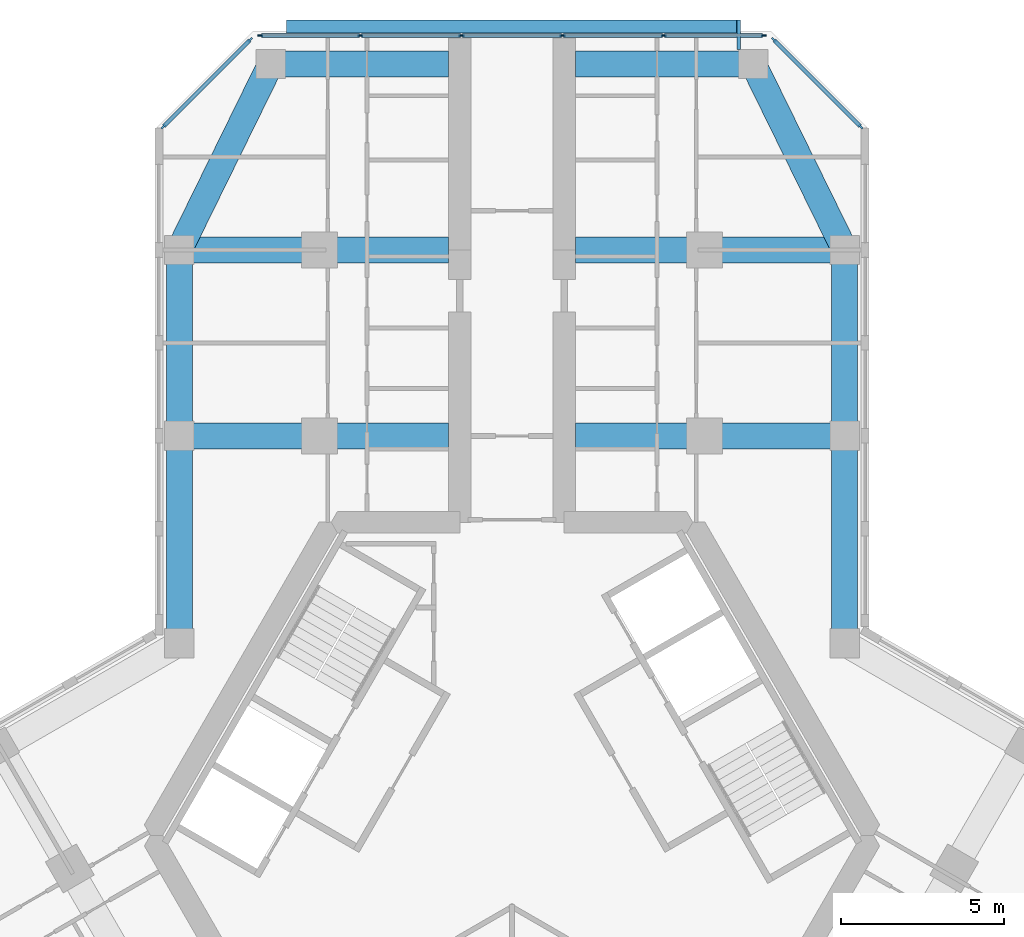
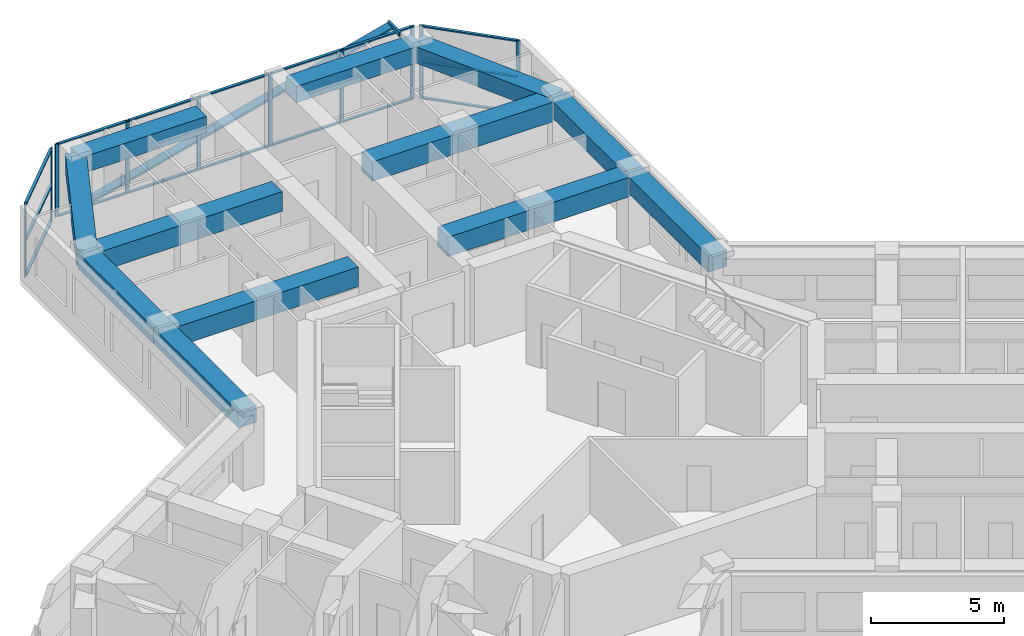
# One storey, part 6 of 16: 28 members, 12 beams, 3 elements without a shape of their own.
"""IFC4 building model written with IfcOpenShell, lengths in metres."""

from ifc_helpers import new_model, si_unit, direction, frame, origin, origin_2d, place, context, subcontext, project, spatial, rectangle, hollow_rectangle, extrude, material, material_profile, profile_set, type_object, element, aggregate, save


model = new_model("IFC4")

# Units and contexts
model_context = context("Model", 3, precision=1e-05, world=origin(), true_north=direction((0.0, 1.0)))
body_context = subcontext(model_context, "Body", "Model", "MODEL_VIEW")
ifc_project = project(units=[si_unit("LENGTHUNIT", "METRE"), si_unit("AREAUNIT", "SQUARE_METRE"), si_unit("VOLUMEUNIT", "CUBIC_METRE"), si_unit("PLANEANGLEUNIT", "RADIAN"), si_unit("MASSUNIT", "GRAM", prefix="KILO")], contexts=[model_context])

# Site, building, storey
site_placement = place(None, origin())
site = spatial("IfcSite", under=ifc_project, at=site_placement, CompositionType="ELEMENT")
building_placement = place(site_placement, origin())
building = spatial("IfcBuilding", under=site, at=building_placement, Name="Kosmar Iwan School Tower", CompositionType="ELEMENT")
storey_placement = place(building_placement, frame((0.0, 0.0, 197.39990234375)))
storey = spatial("IfcBuildingStorey", under=building, at=storey_placement, Name="L49", CompositionType="ELEMENT", Elevation=197.39990234375)

# Members
ifc_material_1 = material(Name="Black anodised aluminium", Category="aluminium")
ifc_material_profile_1 = material_profile(ifc_material_1, rectangle(XDim=0.10009765625, YDim=0.39990234375, at=origin_2d()), Name="FIN 100x400")
ifc_profile_set_1 = profile_set([ifc_material_profile_1], Name="Black anodised aluminium")
member_type_1 = type_object("IfcMemberType", Name="Diagonal fin 100x400", PredefinedType="USERDEFINED", material=ifc_profile_set_1)
member_1_placement = place(storey_placement, frame((-6.898193359375, 24.800048828125, -0.14990234375), z_axis=(0.967599450335, 0.0, 0.252490205179), x_axis=(-0.252490205179, 0.0, 0.967599450335)))
element("IfcMember", 1, at=member_1_placement, inside=storey, type_object=member_type_1, Name="Diagonal fin L49-F06", ObjectType="FIN", PredefinedType="USERDEFINED", context=body_context, shape_type="SweptSolid", body=[
    extrude(rectangle(XDim=0.10009765625, YDim=0.39990234375, at=origin_2d()), origin(), (0.0, 0.0, 1.0), 14.25830078125),
])
ifc_material_2 = material(Name="Steel S355", Category="steel")
ifc_material_profile_2 = material_profile(ifc_material_2, hollow_rectangle(XDim=0.10009765625, YDim=0.199951171875, WallThickness=0.008056640625, at=origin_2d()), Name="RHS 200x100x8")
ifc_profile_set_2 = profile_set([ifc_material_profile_2], Name="Steel S355")
member_type_2 = type_object("IfcMemberType", Name="Fin bracket RHS 200x100", PredefinedType="USERDEFINED", material=ifc_profile_set_2)
member_2_placement = place(storey_placement, frame((6.949951171875, 24.10009765625, 3.47509765625), z_axis=(0.0, 1.0, 0.0), x_axis=(-1.0, 0.0, 0.0)))
element("IfcMember", 2, at=member_2_placement, inside=storey, type_object=member_type_2, Name="Fin bracket L50", ObjectType="FIN BRACKET", PredefinedType="USERDEFINED", context=body_context, shape_type="SweptSolid", body=[
    extrude(hollow_rectangle(XDim=0.10009765625, YDim=0.199951171875, WallThickness=0.008056640625, at=origin_2d()), origin(), (0.0, 0.0, 1.0), 0.89990234375),
])

# Curtain wall, members
ifc_material_3 = material(Name="Dark glass in black aluminium frame", Category="aluminium")
curtain_wall_type_1 = type_object("IfcCurtainWallType", Name="Chamfer curtain wall dark glass", PredefinedType="USERDEFINED", material=ifc_material_3)
curtain_wall_1_placement = place(storey_placement, origin())
curtain_wall_1 = element("IfcCurtainWall", 3, at=curtain_wall_1_placement, inside=storey, type_object=curtain_wall_type_1, Name="Curtain wall L49-F05", ObjectType="FACETED CURTAIN WALL", PredefinedType="USERDEFINED")
ifc_material_4 = material(Name="Black anodised aluminium", Category="aluminium")
ifc_material_profile_3 = material_profile(ifc_material_4, rectangle(XDim=0.06005859375, YDim=0.159912109375, at=origin_2d()), Name="MULLION 60x160")
ifc_profile_set_3 = profile_set([ifc_material_profile_3], Name="Black anodised aluminium")
member_type_3 = type_object("IfcMemberType", Name="Mullion 60x160", PredefinedType="MULLION", material=ifc_profile_set_3)
member_3_placement = place(storey_placement, frame((10.69775390625, 21.7255859375, 0.0), z_axis=(0.0, 0.0, 1.0), x_axis=(-0.707106781187, -0.707106781187, 0.0)))
member_3 = element("IfcMember", 4, at=member_3_placement, type_object=member_type_3, Name="CW2 mullion 1", PredefinedType="MULLION", context=body_context, shape_type="SweptSolid", body=[
    extrude(rectangle(XDim=0.06005859375, YDim=0.159912109375, at=origin_2d()), origin(), (0.0, 0.0, 1.0), 3.35009765625),
])
member_4_placement = place(storey_placement, frame((8.025390625, 24.397705078125, 0.0), z_axis=(0.0, 0.0, 1.0), x_axis=(-0.707106781187, -0.707106781187, 0.0)))
member_4 = element("IfcMember", 5, at=member_4_placement, type_object=member_type_3, Name="CW2 mullion 2", PredefinedType="MULLION", context=body_context, shape_type="SweptSolid", body=[
    extrude(rectangle(XDim=0.06005859375, YDim=0.159912109375, at=origin_2d()), origin(), (0.0, 0.0, 1.0), 3.35009765625),
])

ifc_material_5 = material(Name="Dark glass in black aluminium frame", Category="aluminium")
curtain_wall_type_2 = type_object("IfcCurtainWallType", Name="Tower curtain wall dark glass", PredefinedType="USERDEFINED", material=ifc_material_5)
curtain_wall_2_placement = place(storey_placement, origin())
curtain_wall_2 = element("IfcCurtainWall", 6, at=curtain_wall_2_placement, inside=storey, type_object=curtain_wall_type_2, Name="Curtain wall L49-F06", ObjectType="UNITISED CURTAIN WALL", PredefinedType="USERDEFINED")
member_5_placement = place(storey_placement, frame((7.71826171875, 24.52490234375, 0.0), z_axis=(0.0, 0.0, 1.0), x_axis=(0.0, -1.0, 0.0)))
member_5 = element("IfcMember", 7, at=member_5_placement, type_object=member_type_3, Name="CW1 mullion 1", PredefinedType="MULLION", context=body_context, shape_type="SweptSolid", body=[
    extrude(rectangle(XDim=0.06005859375, YDim=0.159912109375, at=origin_2d()), origin(), (0.0, 0.0, 1.0), 3.35009765625),
])
member_6_placement = place(storey_placement, frame((4.64892578125, 24.52490234375, 0.0), z_axis=(0.0, 0.0, 1.0), x_axis=(0.0, -1.0, 0.0)))
member_6 = element("IfcMember", 8, at=member_6_placement, type_object=member_type_3, Name="CW1 mullion 2", PredefinedType="MULLION", context=body_context, shape_type="SweptSolid", body=[
    extrude(rectangle(XDim=0.06005859375, YDim=0.159912109375, at=origin_2d()), origin(), (0.0, 0.0, 1.0), 3.35009765625),
])
member_7_placement = place(storey_placement, frame((1.549560546875, 24.52490234375, 0.0), z_axis=(0.0, 0.0, 1.0), x_axis=(0.0, -1.0, 0.0)))
member_7 = element("IfcMember", 9, at=member_7_placement, type_object=member_type_3, Name="CW1 mullion 3", PredefinedType="MULLION", context=body_context, shape_type="SweptSolid", body=[
    extrude(rectangle(XDim=0.06005859375, YDim=0.159912109375, at=origin_2d()), origin(), (0.0, 0.0, 1.0), 3.35009765625),
])
member_8_placement = place(storey_placement, frame((-1.549560546875, 24.52490234375, 0.0), z_axis=(0.0, 0.0, 1.0), x_axis=(0.0, -1.0, 0.0)))
member_8 = element("IfcMember", 10, at=member_8_placement, type_object=member_type_3, Name="CW1 mullion 4", PredefinedType="MULLION", context=body_context, shape_type="SweptSolid", body=[
    extrude(rectangle(XDim=0.06005859375, YDim=0.159912109375, at=origin_2d()), origin(), (0.0, 0.0, 1.0), 3.35009765625),
])
member_9_placement = place(storey_placement, frame((-4.64892578125, 24.52490234375, 0.0), z_axis=(0.0, 0.0, 1.0), x_axis=(0.0, -1.0, 0.0)))
member_9 = element("IfcMember", 11, at=member_9_placement, type_object=member_type_3, Name="CW1 mullion 5", PredefinedType="MULLION", context=body_context, shape_type="SweptSolid", body=[
    extrude(rectangle(XDim=0.06005859375, YDim=0.159912109375, at=origin_2d()), origin(), (0.0, 0.0, 1.0), 3.35009765625),
])
member_10_placement = place(storey_placement, frame((-7.71826171875, 24.52490234375, 0.0), z_axis=(0.0, 0.0, 1.0), x_axis=(0.0, -1.0, 0.0)))
member_10 = element("IfcMember", 12, at=member_10_placement, type_object=member_type_3, Name="CW1 mullion 6", PredefinedType="MULLION", context=body_context, shape_type="SweptSolid", body=[
    extrude(rectangle(XDim=0.06005859375, YDim=0.159912109375, at=origin_2d()), origin(), (0.0, 0.0, 1.0), 3.35009765625),
])

curtain_wall_3_placement = place(storey_placement, origin())
curtain_wall_3 = element("IfcCurtainWall", 13, at=curtain_wall_3_placement, inside=storey, type_object=curtain_wall_type_1, Name="Curtain wall L49-F07", ObjectType="FACETED CURTAIN WALL", PredefinedType="USERDEFINED")
member_11_placement = place(storey_placement, frame((-8.025390625, 24.397705078125, 0.0), z_axis=(0.0, 0.0, 1.0), x_axis=(0.707106781187, -0.707106781187, 0.0)))
member_11 = element("IfcMember", 14, at=member_11_placement, type_object=member_type_3, Name="CW2 mullion 1", PredefinedType="MULLION", context=body_context, shape_type="SweptSolid", body=[
    extrude(rectangle(XDim=0.06005859375, YDim=0.159912109375, at=origin_2d()), origin(), (0.0, 0.0, 1.0), 3.35009765625),
])
member_12_placement = place(storey_placement, frame((-10.69775390625, 21.7255859375, 0.0), z_axis=(0.0, 0.0, 1.0), x_axis=(0.707106781187, -0.707106781187, 0.0)))
member_12 = element("IfcMember", 15, at=member_12_placement, type_object=member_type_3, Name="CW2 mullion 2", PredefinedType="MULLION", context=body_context, shape_type="SweptSolid", body=[
    extrude(rectangle(XDim=0.06005859375, YDim=0.159912109375, at=origin_2d()), origin(), (0.0, 0.0, 1.0), 3.35009765625),
])

# Beams
ifc_material_6 = material(Name="Concrete C50/60", Category="concrete")
ifc_material_profile_4 = material_profile(ifc_material_6, rectangle(XDim=0.800048828125, YDim=0.75, at=origin_2d()), Name="RC 800x750")
ifc_profile_set_4 = profile_set([ifc_material_profile_4], Name="Concrete C50/60")
beam_type_1 = type_object("IfcBeamType", Name="RC edge beam 800x750", PredefinedType="BEAM", material=ifc_profile_set_4)
beam_1_placement = place(storey_placement, frame((-10.199951171875, 5.888916015625, 2.97509765625), z_axis=(0.0, 1.0, 0.0), x_axis=(-1.0, 0.0, 0.0)))
element("IfcBeam", 16, at=beam_1_placement, inside=storey, type_object=beam_type_1, Name="Edge beam AL1", PredefinedType="BEAM", context=body_context, shape_type="SweptSolid", body=[
    extrude(rectangle(XDim=0.800048828125, YDim=0.75, at=origin_2d()), origin(), (0.0, 0.0, 1.0), 6.361083984375),
])
beam_2_placement = place(storey_placement, frame((-10.199951171875, 12.25, 2.97509765625), z_axis=(0.0, 1.0, 0.0), x_axis=(-1.0, 0.0, 0.0)))
element("IfcBeam", 17, at=beam_2_placement, inside=storey, type_object=beam_type_1, Name="Edge beam AL2", PredefinedType="BEAM", context=body_context, shape_type="SweptSolid", body=[
    extrude(rectangle(XDim=0.800048828125, YDim=0.75, at=origin_2d()), origin(), (0.0, 0.0, 1.0), 5.699951171875),
])
beam_3_placement = place(storey_placement, frame((10.199951171875, 5.888916015625, 2.97509765625), z_axis=(0.0, 1.0, 0.0), x_axis=(-1.0, 0.0, 0.0)))
element("IfcBeam", 18, at=beam_3_placement, inside=storey, type_object=beam_type_1, Name="Edge beam AR1", PredefinedType="BEAM", context=body_context, shape_type="SweptSolid", body=[
    extrude(rectangle(XDim=0.800048828125, YDim=0.75, at=origin_2d()), origin(), (0.0, 0.0, 1.0), 6.361083984375),
])
beam_4_placement = place(storey_placement, frame((10.199951171875, 12.25, 2.97509765625), z_axis=(0.0, 1.0, 0.0), x_axis=(-1.0, 0.0, 0.0)))
element("IfcBeam", 19, at=beam_4_placement, inside=storey, type_object=beam_type_1, Name="Edge beam AR2", PredefinedType="BEAM", context=body_context, shape_type="SweptSolid", body=[
    extrude(rectangle(XDim=0.800048828125, YDim=0.75, at=origin_2d()), origin(), (0.0, 0.0, 1.0), 5.699951171875),
])
ifc_material_7 = material(Name="Concrete C50/60", Category="concrete")
ifc_material_profile_5 = material_profile(ifc_material_7, rectangle(XDim=0.800048828125, YDim=0.75, at=origin_2d()), Name="RC 800x750")
ifc_profile_set_5 = profile_set([ifc_material_profile_5], Name="Concrete C50/60")
beam_type_2 = type_object("IfcBeamType", Name="RC tip beam 800x750", PredefinedType="BEAM", material=ifc_profile_set_5)
beam_5_placement = place(storey_placement, frame((-10.199951171875, 17.949951171875, 2.97509765625), z_axis=(0.440913116462, 0.897549788999, 0.0), x_axis=(-0.897549788999, 0.440913116462, 0.0)))
element("IfcBeam", 20, at=beam_5_placement, inside=storey, type_object=beam_type_2, Name="Tip beam AL", PredefinedType="BEAM", context=body_context, shape_type="SweptSolid", body=[
    extrude(rectangle(XDim=0.800048828125, YDim=0.75, at=origin_2d()), origin(), (0.0, 0.0, 1.0), 6.3505859375),
])
beam_6_placement = place(storey_placement, frame((-7.39990234375, 23.64990234375, 2.97509765625), z_axis=(1.0, 0.0, 0.0), x_axis=(0.0, 1.0, 0.0)))
element("IfcBeam", 21, at=beam_6_placement, inside=storey, type_object=beam_type_2, Name="Tip beam AL to corridor wall", PredefinedType="BEAM", context=body_context, shape_type="SweptSolid", body=[
    extrude(rectangle(XDim=0.800048828125, YDim=0.75, at=origin_2d()), origin(), (0.0, 0.0, 1.0), 5.449951171875),
])
beam_7_placement = place(storey_placement, frame((10.199951171875, 17.949951171875, 2.97509765625), z_axis=(-0.440913116462, 0.897549788999, 0.0), x_axis=(-0.897549788999, -0.440913116462, 0.0)))
element("IfcBeam", 22, at=beam_7_placement, inside=storey, type_object=beam_type_2, Name="Tip beam AR", PredefinedType="BEAM", context=body_context, shape_type="SweptSolid", body=[
    extrude(rectangle(XDim=0.800048828125, YDim=0.75, at=origin_2d()), origin(), (0.0, 0.0, 1.0), 6.3505859375),
])
beam_8_placement = place(storey_placement, frame((7.39990234375, 23.64990234375, 2.97509765625), z_axis=(-1.0, 0.0, 0.0), x_axis=(0.0, -1.0, 0.0)))
element("IfcBeam", 23, at=beam_8_placement, inside=storey, type_object=beam_type_2, Name="Tip beam AR to corridor wall", PredefinedType="BEAM", context=body_context, shape_type="SweptSolid", body=[
    extrude(rectangle(XDim=0.800048828125, YDim=0.75, at=origin_2d()), origin(), (0.0, 0.0, 1.0), 5.449951171875),
])
ifc_material_8 = material(Name="Concrete C50/60", Category="concrete")
ifc_material_profile_6 = material_profile(ifc_material_8, rectangle(XDim=0.800048828125, YDim=0.89990234375, at=origin_2d()), Name="RC 800x900")
ifc_profile_set_6 = profile_set([ifc_material_profile_6], Name="Concrete C50/60")
beam_type_3 = type_object("IfcBeamType", Name="RC transverse beam 800x900", PredefinedType="BEAM", material=ifc_profile_set_6)
for number, where, z_axis, x_axis, name in (
    (24, (-10.199951171875, 12.25, 2.900146484375), (1.0, 0.0, 0.0), (0.0, 1.0, 0.0), "Transverse beam AL1"),
    (25, (-10.199951171875, 17.949951171875, 2.900146484375), (1.0, 0.0, 0.0), (0.0, 1.0, 0.0), "Transverse beam AL2"),
    (26, (10.199951171875, 12.25, 2.900146484375), (-1.0, 0.0, 0.0), (0.0, -1.0, 0.0), "Transverse beam AR1"),
    (27, (10.199951171875, 17.949951171875, 2.900146484375), (-1.0, 0.0, 0.0), (0.0, -1.0, 0.0), "Transverse beam AR2"),
):
    element("IfcBeam", number, at=place(storey_placement, frame(where, z_axis=z_axis, x_axis=x_axis)), inside=storey, type_object=beam_type_3, Name=name, PredefinedType="BEAM", context=body_context, shape_type="SweptSolid", body=[
        extrude(rectangle(XDim=0.800048828125, YDim=0.89990234375, at=origin_2d()), origin(), (0.0, 0.0, 1.0), 8.25),
    ])

# Member
ifc_material_9 = material(Name="Black anodised aluminium", Category="aluminium")
ifc_material_profile_7 = material_profile(ifc_material_9, rectangle(XDim=0.1201171875, YDim=0.06005859375, at=origin_2d()), Name="TRANSOM 60x120")
ifc_profile_set_7 = profile_set([ifc_material_profile_7], Name="Black anodised aluminium")
member_type_4 = type_object("IfcMemberType", Name="Transom 60x120", PredefinedType="USERDEFINED", material=ifc_profile_set_7)
member_13_placement = place(storey_placement, frame((10.676513671875, 21.746826171875, 0.030029296875), z_axis=(-0.707139603466, 0.707073957383, 0.0), x_axis=(-0.707073957383, -0.707139603466, 0.0)))
member_13 = element("IfcMember", 28, at=member_13_placement, type_object=member_type_4, Name="CW2 transom 1.1", ObjectType="TRANSOM", PredefinedType="USERDEFINED", context=body_context, shape_type="SweptSolid", body=[
    extrude(rectangle(XDim=0.1201171875, YDim=0.06005859375, at=origin_2d()), origin(), (0.0, 0.0, 1.0), 3.718994140625),
])

member_14_placement = place(storey_placement, frame((10.676513671875, 21.746826171875, 1.675048828125), z_axis=(-0.707139603466, 0.707073957383, 0.0), x_axis=(-0.707073957383, -0.707139603466, 0.0)))
member_14 = element("IfcMember", 29, at=member_14_placement, type_object=member_type_4, Name="CW2 transom 1.2", ObjectType="TRANSOM", PredefinedType="USERDEFINED", context=body_context, shape_type="SweptSolid", body=[
    extrude(rectangle(XDim=0.1201171875, YDim=0.06005859375, at=origin_2d()), origin(), (0.0, 0.0, 1.0), 3.718994140625),
])

member_15_placement = place(storey_placement, frame((10.676513671875, 21.746826171875, 3.320068359375), z_axis=(-0.707139603466, 0.707073957383, 0.0), x_axis=(-0.707073957383, -0.707139603466, 0.0)))
member_15 = element("IfcMember", 30, at=member_15_placement, type_object=member_type_4, Name="CW2 transom 1.3", ObjectType="TRANSOM", PredefinedType="USERDEFINED", context=body_context, shape_type="SweptSolid", body=[
    extrude(rectangle(XDim=0.1201171875, YDim=0.06005859375, at=origin_2d()), origin(), (0.0, 0.0, 1.0), 3.718994140625),
])

aggregate(curtain_wall_1, [member_3, member_4, member_13, member_14, member_15])

member_16_placement = place(storey_placement, frame((7.688232421875, 24.52490234375, 0.030029296875), z_axis=(-1.0, 0.0, 0.0), x_axis=(0.0, -1.0, 0.0)))
member_16 = element("IfcMember", 31, at=member_16_placement, type_object=member_type_4, Name="CW1 transom 1.1", ObjectType="TRANSOM", PredefinedType="USERDEFINED", context=body_context, shape_type="SweptSolid", body=[
    extrude(rectangle(XDim=0.1201171875, YDim=0.06005859375, at=origin_2d()), origin(), (0.0, 0.0, 1.0), 3.00927734375),
])

member_17_placement = place(storey_placement, frame((7.688232421875, 24.52490234375, 3.320068359375), z_axis=(-1.0, 0.0, 0.0), x_axis=(0.0, -1.0, 0.0)))
member_17 = element("IfcMember", 32, at=member_17_placement, type_object=member_type_4, Name="CW1 transom 1.2", ObjectType="TRANSOM", PredefinedType="USERDEFINED", context=body_context, shape_type="SweptSolid", body=[
    extrude(rectangle(XDim=0.1201171875, YDim=0.06005859375, at=origin_2d()), origin(), (0.0, 0.0, 1.0), 3.00927734375),
])

member_18_placement = place(storey_placement, frame((4.618896484375, 24.52490234375, 0.030029296875), z_axis=(-1.0, 0.0, 0.0), x_axis=(0.0, -1.0, 0.0)))
member_18 = element("IfcMember", 33, at=member_18_placement, type_object=member_type_4, Name="CW1 transom 2.1", ObjectType="TRANSOM", PredefinedType="USERDEFINED", context=body_context, shape_type="SweptSolid", body=[
    extrude(rectangle(XDim=0.1201171875, YDim=0.06005859375, at=origin_2d()), origin(), (0.0, 0.0, 1.0), 3.039306640625),
])

member_19_placement = place(storey_placement, frame((4.618896484375, 24.52490234375, 3.320068359375), z_axis=(-1.0, 0.0, 0.0), x_axis=(0.0, -1.0, 0.0)))
member_19 = element("IfcMember", 34, at=member_19_placement, type_object=member_type_4, Name="CW1 transom 2.2", ObjectType="TRANSOM", PredefinedType="USERDEFINED", context=body_context, shape_type="SweptSolid", body=[
    extrude(rectangle(XDim=0.1201171875, YDim=0.06005859375, at=origin_2d()), origin(), (0.0, 0.0, 1.0), 3.039306640625),
])

member_20_placement = place(storey_placement, frame((1.51953125, 24.52490234375, 0.030029296875), z_axis=(-1.0, 0.0, 0.0), x_axis=(0.0, -1.0, 0.0)))
member_20 = element("IfcMember", 35, at=member_20_placement, type_object=member_type_4, Name="CW1 transom 3.1", ObjectType="TRANSOM", PredefinedType="USERDEFINED", context=body_context, shape_type="SweptSolid", body=[
    extrude(rectangle(XDim=0.1201171875, YDim=0.06005859375, at=origin_2d()), origin(), (0.0, 0.0, 1.0), 3.0390625),
])

member_21_placement = place(storey_placement, frame((1.51953125, 24.52490234375, 3.320068359375), z_axis=(-1.0, 0.0, 0.0), x_axis=(0.0, -1.0, 0.0)))
member_21 = element("IfcMember", 36, at=member_21_placement, type_object=member_type_4, Name="CW1 transom 3.2", ObjectType="TRANSOM", PredefinedType="USERDEFINED", context=body_context, shape_type="SweptSolid", body=[
    extrude(rectangle(XDim=0.1201171875, YDim=0.06005859375, at=origin_2d()), origin(), (0.0, 0.0, 1.0), 3.0390625),
])

member_22_placement = place(storey_placement, frame((-1.57958984375, 24.52490234375, 0.030029296875), z_axis=(-1.0, 0.0, 0.0), x_axis=(0.0, -1.0, 0.0)))
member_22 = element("IfcMember", 37, at=member_22_placement, type_object=member_type_4, Name="CW1 transom 4.1", ObjectType="TRANSOM", PredefinedType="USERDEFINED", context=body_context, shape_type="SweptSolid", body=[
    extrude(rectangle(XDim=0.1201171875, YDim=0.06005859375, at=origin_2d()), origin(), (0.0, 0.0, 1.0), 3.039306640625),
])

member_23_placement = place(storey_placement, frame((-1.57958984375, 24.52490234375, 3.320068359375), z_axis=(-1.0, 0.0, 0.0), x_axis=(0.0, -1.0, 0.0)))
member_23 = element("IfcMember", 38, at=member_23_placement, type_object=member_type_4, Name="CW1 transom 4.2", ObjectType="TRANSOM", PredefinedType="USERDEFINED", context=body_context, shape_type="SweptSolid", body=[
    extrude(rectangle(XDim=0.1201171875, YDim=0.06005859375, at=origin_2d()), origin(), (0.0, 0.0, 1.0), 3.039306640625),
])

member_24_placement = place(storey_placement, frame((-4.678955078125, 24.52490234375, 0.030029296875), z_axis=(-1.0, 0.0, 0.0), x_axis=(0.0, -1.0, 0.0)))
member_24 = element("IfcMember", 39, at=member_24_placement, type_object=member_type_4, Name="CW1 transom 5.1", ObjectType="TRANSOM", PredefinedType="USERDEFINED", context=body_context, shape_type="SweptSolid", body=[
    extrude(rectangle(XDim=0.1201171875, YDim=0.06005859375, at=origin_2d()), origin(), (0.0, 0.0, 1.0), 3.00927734375),
])

member_25_placement = place(storey_placement, frame((-4.678955078125, 24.52490234375, 3.320068359375), z_axis=(-1.0, 0.0, 0.0), x_axis=(0.0, -1.0, 0.0)))
member_25 = element("IfcMember", 40, at=member_25_placement, type_object=member_type_4, Name="CW1 transom 5.2", ObjectType="TRANSOM", PredefinedType="USERDEFINED", context=body_context, shape_type="SweptSolid", body=[
    extrude(rectangle(XDim=0.1201171875, YDim=0.06005859375, at=origin_2d()), origin(), (0.0, 0.0, 1.0), 3.00927734375),
])

aggregate(curtain_wall_2, [member_5, member_6, member_7, member_8, member_9, member_10, member_16, member_17, member_18, member_19, member_20, member_21, member_22, member_23, member_24, member_25])

member_26_placement = place(storey_placement, frame((-8.046630859375, 24.37646484375, 0.030029296875), z_axis=(-0.707139603466, -0.707073957383, 0.0), x_axis=(0.707073957383, -0.707139603466, 0.0)))
member_26 = element("IfcMember", 41, at=member_26_placement, type_object=member_type_4, Name="CW2 transom 1.1", ObjectType="TRANSOM", PredefinedType="USERDEFINED", context=body_context, shape_type="SweptSolid", body=[
    extrude(rectangle(XDim=0.1201171875, YDim=0.06005859375, at=origin_2d()), origin(), (0.0, 0.0, 1.0), 3.718994140625),
])

member_27_placement = place(storey_placement, frame((-8.046630859375, 24.37646484375, 1.675048828125), z_axis=(-0.707139603466, -0.707073957383, 0.0), x_axis=(0.707073957383, -0.707139603466, 0.0)))
member_27 = element("IfcMember", 42, at=member_27_placement, type_object=member_type_4, Name="CW2 transom 1.2", ObjectType="TRANSOM", PredefinedType="USERDEFINED", context=body_context, shape_type="SweptSolid", body=[
    extrude(rectangle(XDim=0.1201171875, YDim=0.06005859375, at=origin_2d()), origin(), (0.0, 0.0, 1.0), 3.718994140625),
])

member_28_placement = place(storey_placement, frame((-8.046630859375, 24.37646484375, 3.320068359375), z_axis=(-0.707139603466, -0.707073957383, 0.0), x_axis=(0.707073957383, -0.707139603466, 0.0)))
member_28 = element("IfcMember", 43, at=member_28_placement, type_object=member_type_4, Name="CW2 transom 1.3", ObjectType="TRANSOM", PredefinedType="USERDEFINED", context=body_context, shape_type="SweptSolid", body=[
    extrude(rectangle(XDim=0.1201171875, YDim=0.06005859375, at=origin_2d()), origin(), (0.0, 0.0, 1.0), 3.718994140625),
])

aggregate(curtain_wall_3, [member_11, member_12, member_26, member_27, member_28])

save(model, "model.ifc")
